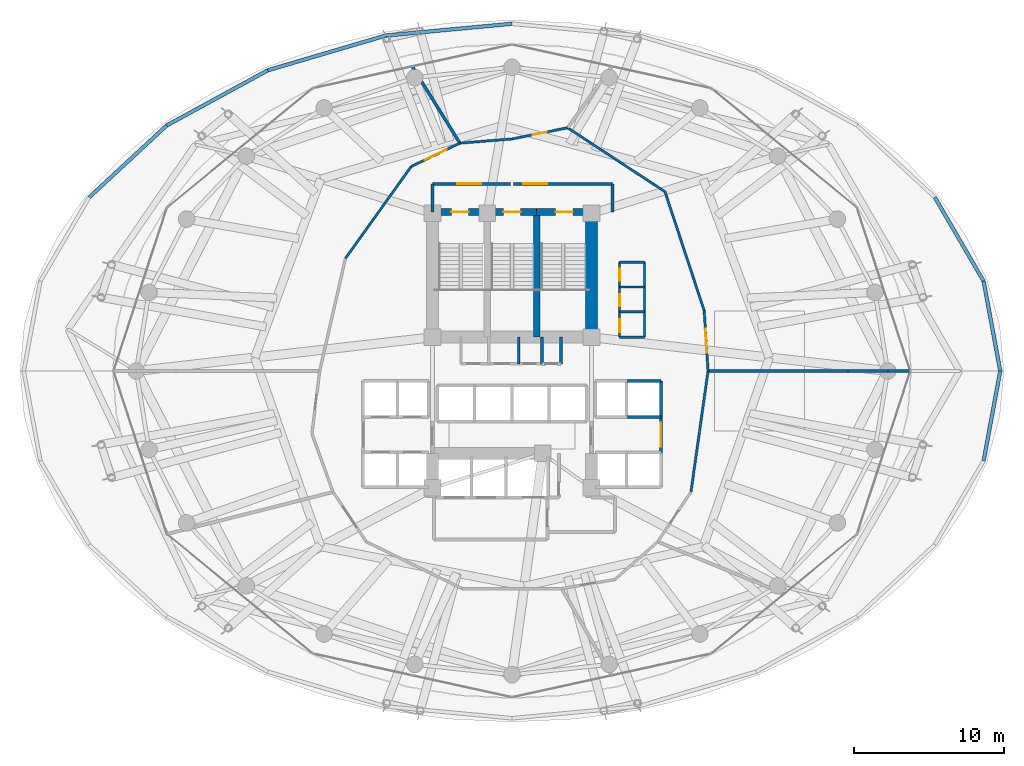
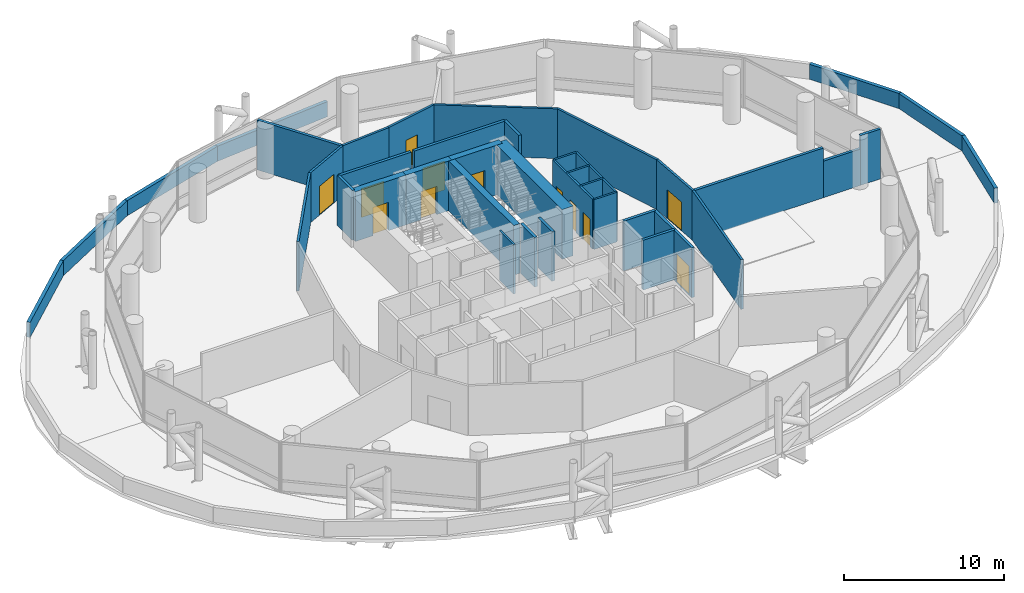
# One storey, part 31 of 37: 41 walls, 12 doors, 12 openings.
"""IFC4 building model written with IfcOpenShell, lengths in metres."""

from ifc_helpers import new_model, si_unit, direction, frame, frame_2d, origin, place, context, subcontext, project, spatial, rectangle, extrude, material, layer, layer_set, type_object, element, fill, save


model = new_model("IFC4")

# Units and contexts
model_context = context("Model", 3, precision=1e-05, world=origin(), true_north=direction((0.0, 1.0)))
body_context = subcontext(model_context, "Body", "Model", "MODEL_VIEW")
ifc_project = project(units=[si_unit("LENGTHUNIT", "METRE"), si_unit("AREAUNIT", "SQUARE_METRE"), si_unit("VOLUMEUNIT", "CUBIC_METRE"), si_unit("PLANEANGLEUNIT", "RADIAN"), si_unit("MASSUNIT", "GRAM", prefix="KILO")], contexts=[model_context])

# Site, building, storey
site_placement = place(None, origin())
site = spatial("IfcSite", under=ifc_project, at=site_placement, CompositionType="ELEMENT")
building_placement = place(site_placement, origin())
building = spatial("IfcBuilding", under=site, at=building_placement, Name="Nuhasar Tower", CompositionType="ELEMENT")
storey_placement = place(building_placement, frame((0.0, 0.0, 21.0)))
storey = spatial("IfcBuildingStorey", under=building, at=storey_placement, Name="L04", CompositionType="ELEMENT", Elevation=21.0)

# Wall, opening, door
ifc_material_1 = material(Name="Concrete C50/60", Category="concrete")
ifc_layer_1 = layer(ifc_material_1, 0.449951171875)
ifc_layer_set_1 = layer_set([ifc_layer_1], Name="Concrete C50/60")
wall_type_1 = type_object("IfcWallType", Name="WL-CORE-450", PredefinedType="SHEAR", material=ifc_layer_set_1)
wall_1_placement = place(storey_placement, frame((37.35009765625, 37.39990234375, 0.0), z_axis=(0.0, 0.0, 1.0), x_axis=(-1.0, 0.0, 0.0)))
wall_1 = element("IfcWall", 1, at=wall_1_placement, inside=storey, type_object=wall_type_1, Name="L04 Stairwell Shear Wall ST01-N", PredefinedType="SHEAR", context=body_context, shape_type="SweptSolid", body=[
    extrude(rectangle(XDim=3.650146484375, YDim=0.449951171875, at=frame_2d((1.8251953125, 0.0))), origin(), (0.0, 0.0, 1.0), 3.7900390625),
])
opening_1_placement = place(wall_1_placement, frame((1.25, 0.0, 0.0)))
opening_1 = element("IfcOpeningElement", 2, at=opening_1_placement, cuts=wall_1, Name="Opening DS-01", PredefinedType="OPENING", context=body_context, shape_type="SweptSolid", body=[
    extrude(rectangle(XDim=1.14990234375, YDim=2.14990234375, at=frame_2d((0.574951171875, 1.074951171875))), frame((0.0, 0.23486328125, 0.0), z_axis=(0.0, -1.0, 0.0), x_axis=(1.0, 0.0, 0.0)), (0.0, 0.0, 1.0), 0.469970703125),
])
ifc_material_2 = material(Name="Steel S355", Category="steel")
door_type_1 = type_object("IfcDoorType", Name="DR-STAIR-FD120-1150", OperationType="NOTDEFINED", PredefinedType="DOOR", material=ifc_material_2)
door_1_placement = place(opening_1_placement, origin())
door_1 = element("IfcDoor", 3, at=door_1_placement, inside=storey, type_object=door_type_1, Name="L04 Exit Stair ST-01 Door", OperationType="SINGLE_SWING_RIGHT", OverallHeight=2.14990234375, OverallWidth=1.14990234375, PredefinedType="DOOR", context=body_context, shape_type="SweptSolid", body=[
    extrude(rectangle(XDim=1.14990234375, YDim=2.14990234375, at=frame_2d((0.574951171875, 1.074951171875))), frame((0.0, 0.02490234375, 0.0), z_axis=(0.0, -1.0, 0.0), x_axis=(1.0, 0.0, 0.0)), (0.0, 0.0, 1.0), 0.050048828125),
])
fill(opening_1, door_1)

wall_2_placement = place(storey_placement, frame((40.64990234375, 37.39990234375, 0.0), z_axis=(0.0, 0.0, 1.0), x_axis=(-1.0, 0.0, 0.0)))
wall_2 = element("IfcWall", 4, at=wall_2_placement, inside=storey, type_object=wall_type_1, Name="L04 Stairwell Shear Wall ST03-N", PredefinedType="SHEAR", context=body_context, shape_type="SweptSolid", body=[
    extrude(rectangle(XDim=3.2998046875, YDim=0.449951171875, at=frame_2d((1.64990234375, 0.0))), origin(), (0.0, 0.0, 1.0), 3.7900390625),
])
opening_2_placement = place(wall_2_placement, frame((1.074951171875, 0.0, 0.0)))
opening_2 = element("IfcOpeningElement", 5, at=opening_2_placement, cuts=wall_2, Name="Opening DS-01", PredefinedType="OPENING", context=body_context, shape_type="SweptSolid", body=[
    extrude(rectangle(XDim=1.14990234375, YDim=2.14990234375, at=frame_2d((0.574951171875, 1.074951171875))), frame((0.0, 0.23486328125, 0.0), z_axis=(0.0, -1.0, 0.0), x_axis=(1.0, 0.0, 0.0)), (0.0, 0.0, 1.0), 0.469970703125),
])
door_2_placement = place(opening_2_placement, origin())
door_2 = element("IfcDoor", 6, at=door_2_placement, inside=storey, type_object=door_type_1, Name="L04 Exit Stair ST-03 Door", OperationType="SINGLE_SWING_RIGHT", OverallHeight=2.14990234375, OverallWidth=1.14990234375, PredefinedType="DOOR", context=body_context, shape_type="SweptSolid", body=[
    extrude(rectangle(XDim=1.14990234375, YDim=2.14990234375, at=frame_2d((0.574951171875, 1.074951171875))), frame((0.0, 0.02490234375, 0.0), z_axis=(0.0, -1.0, 0.0), x_axis=(1.0, 0.0, 0.0)), (0.0, 0.0, 1.0), 0.050048828125),
])
fill(opening_2, door_2)

# Wall
wall_3_placement = place(storey_placement, frame((40.64990234375, 29.050048828125, 0.0), z_axis=(0.0, 0.0, 1.0), x_axis=(0.0, 1.0, 0.0)))
element("IfcWall", 7, at=wall_3_placement, inside=storey, type_object=wall_type_1, Name="L04 Stairwell Shear Wall ST03-E", PredefinedType="SHEAR", context=body_context, shape_type="SweptSolid", body=[
    extrude(rectangle(XDim=8.349853515625, YDim=0.449951171875, at=frame_2d((4.1748046875, 0.0))), origin(), (0.0, 0.0, 1.0), 3.7900390625),
])

# Wall, opening, door
wall_4_placement = place(storey_placement, frame((44.300048828125, 37.39990234375, 0.0), z_axis=(0.0, 0.0, 1.0), x_axis=(-1.0, 0.0, 0.0)))
wall_4 = element("IfcWall", 8, at=wall_4_placement, inside=storey, type_object=wall_type_1, Name="L04 Stairwell Shear Wall ST02-N", PredefinedType="SHEAR", context=body_context, shape_type="SweptSolid", body=[
    extrude(rectangle(XDim=3.650146484375, YDim=0.449951171875, at=frame_2d((1.8251953125, 0.0))), origin(), (0.0, 0.0, 1.0), 3.7900390625),
])
opening_3_placement = place(wall_4_placement, frame((1.25, 0.0, 0.0)))
opening_3 = element("IfcOpeningElement", 9, at=opening_3_placement, cuts=wall_4, Name="Opening DS-01", PredefinedType="OPENING", context=body_context, shape_type="SweptSolid", body=[
    extrude(rectangle(XDim=1.14990234375, YDim=2.14990234375, at=frame_2d((0.574951171875, 1.074951171875))), frame((0.0, 0.23486328125, 0.0), z_axis=(0.0, -1.0, 0.0), x_axis=(1.0, 0.0, 0.0)), (0.0, 0.0, 1.0), 0.469970703125),
])
door_3_placement = place(opening_3_placement, origin())
door_3 = element("IfcDoor", 10, at=door_3_placement, inside=storey, type_object=door_type_1, Name="L04 Exit Stair ST-02 Door", OperationType="SINGLE_SWING_LEFT", OverallHeight=2.14990234375, OverallWidth=1.14990234375, PredefinedType="DOOR", context=body_context, shape_type="SweptSolid", body=[
    extrude(rectangle(XDim=1.14990234375, YDim=2.14990234375, at=frame_2d((0.574951171875, 1.074951171875))), frame((0.0, 0.02490234375, 0.0), z_axis=(0.0, -1.0, 0.0), x_axis=(1.0, 0.0, 0.0)), (0.0, 0.0, 1.0), 0.050048828125),
])
fill(opening_3, door_3)

# Wall
ifc_material_3 = material(Name="Concrete C80/95", Category="concrete")
ifc_layer_2 = layer(ifc_material_3, 0.800048828125)
ifc_layer_set_2 = layer_set([ifc_layer_2], Name="Concrete C80/95")
wall_type_2 = type_object("IfcWallType", Name="WL-CORE-800", PredefinedType="SHEAR", material=ifc_layer_set_2)
wall_5_placement = place(storey_placement, frame((44.300048828125, 29.050048828125, 0.0), z_axis=(0.0, 0.0, 1.0), x_axis=(0.0, 1.0, 0.0)))
element("IfcWall", 11, at=wall_5_placement, inside=storey, type_object=wall_type_2, Name="L04 Core Shear Wall CW-NE CW-800", PredefinedType="SHEAR", context=body_context, shape_type="SweptSolid", body=[
    extrude(rectangle(XDim=8.349853515625, YDim=0.800048828125, at=frame_2d((4.1748046875, 0.0))), origin(), (0.0, 0.0, 1.0), 3.7900390625),
])

# Wall, opening, door
ifc_material_4 = material(Name="Gypsum Board", Category="gypsum")
ifc_layer_3 = layer(ifc_material_4, 0.159912109375)
ifc_layer_set_3 = layer_set([ifc_layer_3], Name="Gypsum Board")
wall_type_3 = type_object("IfcWallType", Name="WL-CORR-160", PredefinedType="PARTITIONING", material=ifc_layer_set_3)
wall_6_placement = place(storey_placement, frame((51.81201171875, 30.822021484375, 0.0), z_axis=(0.0, 0.0, 1.0), x_axis=(0.064030047677, -0.997947971086, 0.0)))
wall_6 = element("IfcWall", 12, at=wall_6_placement, inside=storey, type_object=wall_type_3, Name="L04 Interior Partition CORR-00", PredefinedType="PARTITIONING", context=body_context, shape_type="SweptSolid", body=[
    extrude(rectangle(XDim=4.0302734375, YDim=0.159912109375, at=frame_2d((2.01513671875, 0.0))), origin(), (0.0, 0.0, 1.0), 3.7900390625),
])
opening_4_placement = place(wall_6_placement, frame((1.215087890625, 0.0, 0.0)))
opening_4 = element("IfcOpeningElement", 13, at=opening_4_placement, cuts=wall_6, Name="Opening DC-01", PredefinedType="OPENING", context=body_context, shape_type="SweptSolid", body=[
    extrude(rectangle(XDim=1.60009765625, YDim=2.199951171875, at=frame_2d((0.800048828125, 1.10009765625))), frame((0.0, 0.08984375, 0.0), z_axis=(0.0, -1.0, 0.0), x_axis=(1.0, 0.0, 0.0)), (0.0, 0.0, 1.0), 0.179931640625),
])
door_type_2 = type_object("IfcDoorType", Name="DR-CORR-FD60-1600", OperationType="DOUBLE_DOOR_SINGLE_SWING", PredefinedType="DOOR", material=ifc_material_2)
door_4_placement = place(opening_4_placement, origin())
door_4 = element("IfcDoor", 14, at=door_4_placement, inside=storey, type_object=door_type_2, Name="L04 Open-Plan Office North-East Entry Door", OperationType="DOUBLE_DOOR_SINGLE_SWING", OverallHeight=2.199951171875, OverallWidth=1.60009765625, PredefinedType="DOOR", context=body_context, shape_type="SweptSolid", body=[
    extrude(rectangle(XDim=1.60009765625, YDim=2.199951171875, at=frame_2d((0.800048828125, 1.10009765625))), frame((0.0, 0.02490234375, 0.0), z_axis=(0.0, -1.0, 0.0), x_axis=(1.0, 0.0, 0.0)), (0.0, 0.0, 1.0), 0.050048828125),
])
fill(opening_4, door_4)

# Walls
wall_7_placement = place(storey_placement, frame((51.81201171875, 30.822021484375, 0.0), z_axis=(0.0, 0.0, 1.0), x_axis=(-0.312751602659, 0.94983495147, 0.0)))
element("IfcWall", 15, at=wall_7_placement, inside=storey, type_object=wall_type_3, Name="L04 Interior Partition CORR-02", PredefinedType="PARTITIONING", context=body_context, shape_type="SweptSolid", body=[
    extrude(rectangle(XDim=8.3486328125, YDim=0.159912109375, at=frame_2d((4.17431640625, 0.0))), origin(), (0.0, 0.0, 1.0), 3.7900390625),
])
wall_8_placement = place(storey_placement, frame((49.200927734375, 38.751953125, 0.0), z_axis=(0.0, 0.0, 1.0), x_axis=(-0.835989779889, 0.548745011751, 0.0)))
element("IfcWall", 16, at=wall_8_placement, inside=storey, type_object=wall_type_3, Name="L04 Interior Partition CORR-06", PredefinedType="PARTITIONING", context=body_context, shape_type="SweptSolid", body=[
    extrude(rectangle(XDim=7.766845703125, YDim=0.159912109375, at=frame_2d((3.88330078125, 0.0))), origin(), (0.0, 0.0, 1.0), 3.7900390625),
])

# Wall, opening, door
wall_9_placement = place(storey_placement, frame((39.0, 42.27001953125, 0.0), z_axis=(0.0, 0.0, 1.0), x_axis=(0.980463806225, 0.196699579771, 0.0)))
wall_9 = element("IfcWall", 17, at=wall_9_placement, inside=storey, type_object=wall_type_3, Name="L04 Interior Partition CORR-10", PredefinedType="PARTITIONING", context=body_context, shape_type="SweptSolid", body=[
    extrude(rectangle(XDim=3.781982421875, YDim=0.159912109375, at=frame_2d((1.89111328125, 0.0))), origin(), (0.0, 0.0, 1.0), 3.7900390625),
])
opening_5_placement = place(wall_9_placement, frame((1.416015625, 0.0, 0.0)))
opening_5 = element("IfcOpeningElement", 18, at=opening_5_placement, cuts=wall_9, Name="Opening DO-01", PredefinedType="OPENING", context=body_context, shape_type="SweptSolid", body=[
    extrude(rectangle(XDim=0.949951171875, YDim=2.14990234375, at=frame_2d((0.47509765625, 1.074951171875))), frame((0.0, 0.08984375, 0.0), z_axis=(0.0, -1.0, 0.0), x_axis=(1.0, 0.0, 0.0)), (0.0, 0.0, 1.0), 0.179931640625),
])
ifc_material_5 = material(Name="Timber Oak", Category="wood")
door_type_3 = type_object("IfcDoorType", Name="DR-OFFICE-FD30-950", OperationType="NOTDEFINED", PredefinedType="DOOR", material=ifc_material_5)
door_5_placement = place(opening_5_placement, origin())
door_5 = element("IfcDoor", 19, at=door_5_placement, inside=storey, type_object=door_type_3, Name="L04 Executive Boardroom Entry Door", OperationType="SINGLE_SWING_RIGHT", OverallHeight=2.14990234375, OverallWidth=0.949951171875, PredefinedType="DOOR", context=body_context, shape_type="SweptSolid", body=[
    extrude(rectangle(XDim=0.949951171875, YDim=2.14990234375, at=frame_2d((0.47509765625, 1.074951171875))), frame((0.0, 0.02490234375, 0.0), z_axis=(0.0, -1.0, 0.0), x_axis=(1.0, 0.0, 0.0)), (0.0, 0.0, 1.0), 0.050048828125),
])
fill(opening_5, door_5)

# Wall
wall_10_placement = place(storey_placement, frame((39.0, 42.27001953125, 0.0), z_axis=(0.0, 0.0, 1.0), x_axis=(-0.99676721303, -0.080343780277, 0.0)))
element("IfcWall", 20, at=wall_10_placement, inside=storey, type_object=wall_type_3, Name="L04 Interior Partition CORR-12", PredefinedType="PARTITIONING", context=body_context, shape_type="SweptSolid", body=[
    extrude(rectangle(XDim=3.4853515625, YDim=0.159912109375, at=frame_2d((1.74267578125, 0.0))), origin(), (0.0, 0.0, 1.0), 3.7900390625),
])

# Wall, opening, door
wall_11_placement = place(storey_placement, frame((32.281005859375, 40.43603515625, 0.0), z_axis=(0.0, 0.0, 1.0), x_axis=(0.901911315708, 0.43192126435, 0.0)))
wall_11 = element("IfcWall", 21, at=wall_11_placement, inside=storey, type_object=wall_type_3, Name="L04 Interior Partition CORR-14", PredefinedType="PARTITIONING", context=body_context, shape_type="SweptSolid", body=[
    extrude(rectangle(XDim=3.59765625, YDim=0.159912109375, at=frame_2d((1.798828125, 0.0))), origin(), (0.0, 0.0, 1.0), 3.7900390625),
])
opening_6_placement = place(wall_11_placement, frame((0.9990234375, 0.0, 0.0)))
opening_6 = element("IfcOpeningElement", 22, at=opening_6_placement, cuts=wall_11, Name="Opening DC-01", PredefinedType="OPENING", context=body_context, shape_type="SweptSolid", body=[
    extrude(rectangle(XDim=1.60009765625, YDim=2.199951171875, at=frame_2d((0.800048828125, 1.10009765625))), frame((0.0, 0.08984375, 0.0), z_axis=(0.0, -1.0, 0.0), x_axis=(1.0, 0.0, 0.0)), (0.0, 0.0, 1.0), 0.179931640625),
])
door_6_placement = place(opening_6_placement, origin())
door_6 = element("IfcDoor", 23, at=door_6_placement, inside=storey, type_object=door_type_2, Name="L04 Open-Plan Office North-West Entry Door", OperationType="DOUBLE_DOOR_SINGLE_SWING", OverallHeight=2.199951171875, OverallWidth=1.60009765625, PredefinedType="DOOR", context=body_context, shape_type="SweptSolid", body=[
    extrude(rectangle(XDim=1.60009765625, YDim=2.199951171875, at=frame_2d((0.800048828125, 1.10009765625))), frame((0.0, 0.02490234375, 0.0), z_axis=(0.0, -1.0, 0.0), x_axis=(1.0, 0.0, 0.0)), (0.0, 0.0, 1.0), 0.050048828125),
])
fill(opening_6, door_6)

# Walls
wall_12_placement = place(storey_placement, frame((32.281005859375, 40.43603515625, 0.0), z_axis=(0.0, 0.0, 1.0), x_axis=(-0.581884927471, -0.813271130179, 0.0)))
element("IfcWall", 24, at=wall_12_placement, inside=storey, type_object=wall_type_3, Name="L04 Interior Partition CORR-16", PredefinedType="PARTITIONING", context=body_context, shape_type="SweptSolid", body=[
    extrude(rectangle(XDim=7.532470703125, YDim=0.159912109375, at=frame_2d((3.76611328125, 0.0))), origin(), (0.0, 0.0, 1.0), 3.7900390625),
])
wall_13_placement = place(storey_placement, frame((50.929931640625, 18.72998046875, 0.0), z_axis=(0.0, 0.0, 1.0), x_axis=(0.139890479785, 0.990166982718, 0.0)))
element("IfcWall", 25, at=wall_13_placement, inside=storey, type_object=wall_type_3, Name="L04 Interior Partition CORR-44", PredefinedType="PARTITIONING", context=body_context, shape_type="SweptSolid", body=[
    extrude(rectangle(XDim=8.150146484375, YDim=0.159912109375, at=frame_2d((4.0751953125, 0.0))), origin(), (0.0, 0.0, 1.0), 3.7900390625),
])
ifc_material_6 = material(Name="Concrete C45/55", Category="concrete")
ifc_layer_4 = layer(ifc_material_6, 0.199951171875)
ifc_layer_set_4 = layer_set([ifc_layer_4], Name="Concrete C45/55")
wall_type_4 = type_object("IfcWallType", Name="WL-LOBBY-200", PredefinedType="SOLIDWALL", material=ifc_layer_set_4)
for number, where, z_axis, x_axis, name in (
    (26, (33.699951171875, 37.39990234375, 0.0), (0.0, 0.0, 1.0), (0.0, 1.0, 0.0), "L04 Interior Partition NSL-W"),
    (27, (45.699951171875, 37.39990234375, 0.0), (0.0, 0.0, 1.0), (0.0, 1.0, 0.0), "L04 Interior Partition NSL-E"),
):
    element("IfcWall", number, at=place(storey_placement, frame(where, z_axis=z_axis, x_axis=x_axis)), inside=storey, type_object=wall_type_4, Name=name, PredefinedType="SOLIDWALL", context=body_context, shape_type="SweptSolid", body=[
        extrude(rectangle(XDim=1.880126953125, YDim=0.199951171875, at=frame_2d((0.93994140625, 0.0))), origin(), (0.0, 0.0, 1.0), 3.7900390625),
    ])

# Wall, opening, door
wall_14_placement = place(storey_placement, frame((38.89990234375, 39.280029296875, 0.0), z_axis=(0.0, 0.0, 1.0), x_axis=(-1.0, 0.0, 0.0)))
wall_14 = element("IfcWall", 28, at=wall_14_placement, inside=storey, type_object=wall_type_4, Name="L04 Interior Partition NSL-N1", PredefinedType="SOLIDWALL", context=body_context, shape_type="SweptSolid", body=[
    extrude(rectangle(XDim=5.199951171875, YDim=0.199951171875, at=frame_2d((2.60009765625, 0.0))), origin(), (0.0, 0.0, 1.0), 3.7900390625),
])
opening_7_placement = place(wall_14_placement, frame((1.949951171875, 0.0, 0.0)))
opening_7 = element("IfcOpeningElement", 29, at=opening_7_placement, cuts=wall_14, Name="Opening DC-01", PredefinedType="OPENING", context=body_context, shape_type="SweptSolid", body=[
    extrude(rectangle(XDim=1.60009765625, YDim=2.199951171875, at=frame_2d((0.800048828125, 1.10009765625))), frame((0.0, 0.10986328125, 0.0), z_axis=(0.0, -1.0, 0.0), x_axis=(1.0, 0.0, 0.0)), (0.0, 0.0, 1.0), 0.219970703125),
])
door_7_placement = place(opening_7_placement, origin())
door_7 = element("IfcDoor", 30, at=door_7_placement, inside=storey, type_object=door_type_2, Name="L04 North Stair Lobby West Door", OperationType="DOUBLE_DOOR_SINGLE_SWING", OverallHeight=2.199951171875, OverallWidth=1.60009765625, PredefinedType="DOOR", context=body_context, shape_type="SweptSolid", body=[
    extrude(rectangle(XDim=1.60009765625, YDim=2.199951171875, at=frame_2d((0.800048828125, 1.10009765625))), frame((0.0, 0.02490234375, 0.0), z_axis=(0.0, -1.0, 0.0), x_axis=(1.0, 0.0, 0.0)), (0.0, 0.0, 1.0), 0.050048828125),
])
fill(opening_7, door_7)

wall_15_placement = place(storey_placement, frame((45.699951171875, 39.280029296875, 0.0), z_axis=(0.0, 0.0, 1.0), x_axis=(-1.0, 0.0, 0.0)))
wall_15 = element("IfcWall", 31, at=wall_15_placement, inside=storey, type_object=wall_type_4, Name="L04 Interior Partition NSL-N2", PredefinedType="SOLIDWALL", context=body_context, shape_type="SweptSolid", body=[
    extrude(rectangle(XDim=6.599853515625, YDim=0.199951171875, at=frame_2d((3.2998046875, 0.0))), origin(), (0.0, 0.0, 1.0), 3.7900390625),
])
opening_8_placement = place(wall_15_placement, frame((4.35009765625, 0.0, 0.0)))
opening_8 = element("IfcOpeningElement", 32, at=opening_8_placement, cuts=wall_15, Name="Opening DC-01", PredefinedType="OPENING", context=body_context, shape_type="SweptSolid", body=[
    extrude(rectangle(XDim=1.60009765625, YDim=2.199951171875, at=frame_2d((0.800048828125, 1.10009765625))), frame((0.0, 0.10986328125, 0.0), z_axis=(0.0, -1.0, 0.0), x_axis=(1.0, 0.0, 0.0)), (0.0, 0.0, 1.0), 0.219970703125),
])
door_8_placement = place(opening_8_placement, origin())
door_8 = element("IfcDoor", 33, at=door_8_placement, inside=storey, type_object=door_type_2, Name="L04 North Stair Lobby East Door", OperationType="DOUBLE_DOOR_SINGLE_SWING", OverallHeight=2.199951171875, OverallWidth=1.60009765625, PredefinedType="DOOR", context=body_context, shape_type="SweptSolid", body=[
    extrude(rectangle(XDim=1.60009765625, YDim=2.199951171875, at=frame_2d((0.800048828125, 1.10009765625))), frame((0.0, 0.02490234375, 0.0), z_axis=(0.0, -1.0, 0.0), x_axis=(1.0, 0.0, 0.0)), (0.0, 0.0, 1.0), 0.050048828125),
])
fill(opening_8, door_8)

wall_16_placement = place(storey_placement, frame((48.929931640625, 21.3798828125, 0.0), z_axis=(0.0, 0.0, 1.0), x_axis=(0.0, 1.0, 0.0)))
wall_16 = element("IfcWall", 34, at=wall_16_placement, inside=storey, type_object=wall_type_4, Name="L04 Interior Partition LLBM-E", PredefinedType="SOLIDWALL", context=body_context, shape_type="SweptSolid", body=[
    extrude(rectangle(XDim=2.340087890625, YDim=0.199951171875, at=frame_2d((1.169921875, 0.0))), origin(), (0.0, 0.0, 1.0), 3.7900390625),
])
opening_9_placement = place(wall_16_placement, frame((0.3701171875, 0.0, 0.0)))
opening_9 = element("IfcOpeningElement", 35, at=opening_9_placement, cuts=wall_16, Name="Opening DC-01", PredefinedType="OPENING", context=body_context, shape_type="SweptSolid", body=[
    extrude(rectangle(XDim=1.60009765625, YDim=2.199951171875, at=frame_2d((0.800048828125, 1.10009765625))), frame((0.0, 0.10986328125, 0.0), z_axis=(0.0, -1.0, 0.0), x_axis=(1.0, 0.0, 0.0)), (0.0, 0.0, 1.0), 0.219970703125),
])
door_9_placement = place(opening_9_placement, origin())
door_9 = element("IfcDoor", 36, at=door_9_placement, inside=storey, type_object=door_type_2, Name="L04 Mid-Rise Lift Lobby East Entry", OperationType="DOUBLE_DOOR_SINGLE_SWING", OverallHeight=2.199951171875, OverallWidth=1.60009765625, PredefinedType="DOOR", context=body_context, shape_type="SweptSolid", body=[
    extrude(rectangle(XDim=1.60009765625, YDim=2.199951171875, at=frame_2d((0.800048828125, 1.10009765625))), frame((0.0, 0.02490234375, 0.0), z_axis=(0.0, -1.0, 0.0), x_axis=(1.0, 0.0, 0.0)), (0.0, 0.0, 1.0), 0.050048828125),
])
fill(opening_9, door_9)

# Walls
ifc_layer_5 = layer(ifc_material_6, 0.239990234375)
ifc_layer_set_5 = layer_set([ifc_layer_5], Name="Concrete C45/55")
wall_type_5 = type_object("IfcWallType", Name="WL-PARAPET-240", PredefinedType="PARAPET", material=ifc_layer_set_5)
wall_17_placement = place(storey_placement, frame((71.550048828125, 26.800048828125, 0.0), z_axis=(0.0, 0.0, 1.0), x_axis=(-0.18201178794, 0.983296348539, 0.0)))
element("IfcWall", 37, at=wall_17_placement, inside=storey, type_object=wall_type_5, Name="L04 Podium Roof Parapet 01", PredefinedType="PARAPET", context=body_context, shape_type="SweptSolid", body=[
    extrude(rectangle(XDim=6.09375, YDim=0.239990234375, at=frame_2d((3.046875, 0.0))), origin(), (0.0, 0.0, 1.0), 1.14990234375),
])
wall_18_placement = place(storey_placement, frame((70.44091796875, 32.7919921875, 0.0), z_axis=(0.0, 0.0, 1.0), x_axis=(-0.503316458363, 0.864102159898, 0.0)))
element("IfcWall", 38, at=wall_18_placement, inside=storey, type_object=wall_type_5, Name="L04 Podium Roof Parapet 02", PredefinedType="PARAPET", context=body_context, shape_type="SweptSolid", body=[
    extrude(rectangle(XDim=6.4609375, YDim=0.239990234375, at=frame_2d((3.23046875, 0.0))), origin(), (0.0, 0.0, 1.0), 1.14990234375),
])
wall_19_placement = place(storey_placement, frame((39.0, 49.949951171875, 0.0), z_axis=(0.0, 0.0, 1.0), x_axis=(-0.995642852172, -0.093248651025, 0.0)))
element("IfcWall", 39, at=wall_19_placement, inside=storey, type_object=wall_type_5, Name="L04 Podium Roof Parapet 07", PredefinedType="PARAPET", context=body_context, shape_type="SweptSolid", body=[
    extrude(rectangle(XDim=8.4619140625, YDim=0.239990234375, at=frame_2d((4.23095703125, 0.0))), origin(), (0.0, 0.0, 1.0), 1.14990234375),
])
wall_20_placement = place(storey_placement, frame((30.574951171875, 49.160888671875, 0.0), z_axis=(0.0, 0.0, 1.0), x_axis=(-0.959226195017, -0.282639535085, 0.0)))
element("IfcWall", 40, at=wall_20_placement, inside=storey, type_object=wall_type_5, Name="L04 Podium Roof Parapet 08", PredefinedType="PARAPET", context=body_context, shape_type="SweptSolid", body=[
    extrude(rectangle(XDim=8.18359375, YDim=0.239990234375, at=frame_2d((4.091796875, 0.0))), origin(), (0.0, 0.0, 1.0), 1.14990234375),
])
wall_21_placement = place(storey_placement, frame((22.72509765625, 46.847900390625, 0.0), z_axis=(0.0, 0.0, 1.0), x_axis=(-0.877843323355, -0.47894790911, 0.0)))
element("IfcWall", 41, at=wall_21_placement, inside=storey, type_object=wall_type_5, Name="L04 Podium Roof Parapet 09", PredefinedType="PARAPET", context=body_context, shape_type="SweptSolid", body=[
    extrude(rectangle(XDim=7.67919921875, YDim=0.239990234375, at=frame_2d((3.839599609375, 0.0))), origin(), (0.0, 0.0, 1.0), 1.14990234375),
])
wall_22_placement = place(storey_placement, frame((15.98388671875, 43.169921875, 0.0), z_axis=(0.0, 0.0, 1.0), x_axis=(-0.733389888961, -0.679808260298, 0.0)))
element("IfcWall", 42, at=wall_22_placement, inside=storey, type_object=wall_type_5, Name="L04 Podium Roof Parapet 10", PredefinedType="PARAPET", context=body_context, shape_type="SweptSolid", body=[
    extrude(rectangle(XDim=7.05322265625, YDim=0.239990234375, at=frame_2d((3.526611328125, 0.0))), origin(), (0.0, 0.0, 1.0), 1.14990234375),
])
wall_23_placement = place(storey_placement, frame((70.44091796875, 20.80810546875, 0.0), z_axis=(0.0, 0.0, 1.0), x_axis=(0.18201178794, 0.983296348539, 0.0)))
element("IfcWall", 43, at=wall_23_placement, inside=storey, type_object=wall_type_5, Name="L04 Podium Roof Parapet 24", PredefinedType="PARAPET", context=body_context, shape_type="SweptSolid", body=[
    extrude(rectangle(XDim=6.09375, YDim=0.239990234375, at=frame_2d((3.046875, 0.0))), origin(), (0.0, 0.0, 1.0), 1.14990234375),
])
ifc_layer_6 = layer(ifc_material_6, 0.199951171875)
ifc_layer_set_6 = layer_set([ifc_layer_6], Name="Concrete C45/55")
wall_type_6 = type_object("IfcWallType", Name="WL-SHAFT-200", PredefinedType="SOLIDWALL", material=ifc_layer_set_6)
for number, where, z_axis, x_axis, name in (
    (44, (41.0, 27.280029296875, 0.0), (0.0, 0.0, 1.0), (0.0, 1.0, 0.0), "L04 Interior Partition RSRN-W"),
    (45, (42.260009765625, 27.280029296875, 0.0), (0.0, 0.0, 1.0), (0.0, 1.0, 0.0), "L04 Interior Partition RSRN-E"),
):
    element("IfcWall", number, at=place(storey_placement, frame(where, z_axis=z_axis, x_axis=x_axis)), inside=storey, type_object=wall_type_6, Name=name, PredefinedType="SOLIDWALL", context=body_context, shape_type="SweptSolid", body=[
        extrude(rectangle(XDim=1.77001953125, YDim=0.199951171875, at=frame_2d((0.885009765625, 0.0))), origin(), (0.0, 0.0, 1.0), 3.7900390625),
    ])
for number, where, z_axis, x_axis, name in (
    (46, (46.6201171875, 23.719970703125, 0.0), (0.0, 0.0, 1.0), (1.0, 0.0, 0.0), "L04 Interior Partition SHF-PL-M02-S"),
    (47, (46.6201171875, 26.1298828125, 0.0), (0.0, 0.0, 1.0), (1.0, 0.0, 0.0), "L04 Interior Partition SHF-PL-M02-N"),
):
    element("IfcWall", number, at=place(storey_placement, frame(where, z_axis=z_axis, x_axis=x_axis)), inside=storey, type_object=wall_type_6, Name=name, PredefinedType="SOLIDWALL", context=body_context, shape_type="SweptSolid", body=[
        extrude(rectangle(XDim=2.309814453125, YDim=0.199951171875, at=frame_2d((1.15478515625, 0.0))), origin(), (0.0, 0.0, 1.0), 3.7900390625),
    ])
wall_24_placement = place(storey_placement, frame((48.929931640625, 23.719970703125, 0.0), z_axis=(0.0, 0.0, 1.0), x_axis=(0.0, 1.0, 0.0)))
element("IfcWall", 48, at=wall_24_placement, inside=storey, type_object=wall_type_6, Name="L04 Interior Partition SHF-PL-M02-E", PredefinedType="SOLIDWALL", context=body_context, shape_type="SweptSolid", body=[
    extrude(rectangle(XDim=2.409912109375, YDim=0.199951171875, at=frame_2d((1.205078125, 0.0))), origin(), (0.0, 0.0, 1.0), 3.7900390625),
])
ifc_material_7 = material(Name="Concrete C40/50 precast", Category="concrete")
ifc_layer_7 = layer(ifc_material_7, 0.199951171875)
ifc_layer_set_7 = layer_set([ifc_layer_7], Name="Concrete C40/50 precast")
wall_type_7 = type_object("IfcWallType", Name="WL-UNIT-200", PredefinedType="PARTITIONING", material=ifc_layer_set_7)
wall_25_placement = place(storey_placement, frame((52.070068359375, 26.800048828125, 0.0), z_axis=(0.0, 0.0, 1.0), x_axis=(1.0, 0.0, 0.0)))
element("IfcWall", 49, at=wall_25_placement, inside=storey, type_object=wall_type_7, Name="L04 Interior Partition ORAD-00", PredefinedType="PARTITIONING", context=body_context, shape_type="SweptSolid", body=[
    extrude(rectangle(XDim=9.330810546875, YDim=0.199951171875, at=frame_2d((4.66552734375, 0.0))), origin(), (0.0, 0.0, 1.0), 3.7900390625),
])
wall_26_placement = place(storey_placement, frame((61.40087890625, 26.800048828125, 0.0), z_axis=(0.0, 0.0, 1.0), x_axis=(1.0, 0.0, 0.0)))
element("IfcWall", 50, at=wall_26_placement, inside=storey, type_object=wall_type_7, Name="L04 Interior Partition ORAD-00", PredefinedType="PARTITIONING", context=body_context, shape_type="SweptSolid", body=[
    extrude(rectangle(XDim=2.66015625, YDim=0.199951171875, at=frame_2d((1.330078125, 0.0))), origin(), (0.0, 0.0, 1.0), 2.780029296875),
])
wall_27_placement = place(storey_placement, frame((64.06103515625, 26.800048828125, 0.0), z_axis=(0.0, 0.0, 1.0), x_axis=(1.0, 0.0, 0.0)))
element("IfcWall", 51, at=wall_27_placement, inside=storey, type_object=wall_type_7, Name="L04 Interior Partition ORAD-00", PredefinedType="PARTITIONING", context=body_context, shape_type="SweptSolid", body=[
    extrude(rectangle(XDim=1.4638671875, YDim=0.199951171875, at=frame_2d((0.73193359375, 0.0))), origin(), (0.0, 0.0, 1.0), 3.7900390625),
])
wall_28_placement = place(storey_placement, frame((35.52587890625, 41.989990234375, 0.0), z_axis=(0.0, 0.0, 1.0), x_axis=(-0.527898308029, 0.849307586438, 0.0)))
element("IfcWall", 52, at=wall_28_placement, inside=storey, type_object=wall_type_7, Name="L04 Interior Partition ORAD-14", PredefinedType="PARTITIONING", context=body_context, shape_type="SweptSolid", body=[
    extrude(rectangle(XDim=5.980224609375, YDim=0.199951171875, at=frame_2d((2.990234375, 0.0))), origin(), (0.0, 0.0, 1.0), 3.7900390625),
])
ifc_layer_8 = layer(ifc_material_7, 0.139892578125)
ifc_layer_set_8 = layer_set([ifc_layer_8], Name="Concrete C40/50 precast")
wall_type_8 = type_object("IfcWallType", Name="WL-WET-140", PredefinedType="PARTITIONING", material=ifc_layer_set_8)
wall_29_placement = place(storey_placement, frame((39.449951171875, 27.280029296875, 0.0), z_axis=(0.0, 0.0, 1.0), x_axis=(0.0, 1.0, 0.0)))
element("IfcWall", 53, at=wall_29_placement, inside=storey, type_object=wall_type_8, Name="L04 Interior Partition K1-P2", PredefinedType="PARTITIONING", context=body_context, shape_type="SweptSolid", body=[
    extrude(rectangle(XDim=1.77001953125, YDim=0.139892578125, at=frame_2d((0.885009765625, 0.0))), origin(), (0.0, 0.0, 1.0), 3.7900390625),
])

# Wall, openings, doors
wall_30_placement = place(storey_placement, frame((46.179931640625, 34.050048828125, 0.0), z_axis=(0.0, 0.0, 1.0), x_axis=(0.0, -1.0, 0.0)))
wall_30 = element("IfcWall", 54, at=wall_30_placement, inside=storey, type_object=wall_type_8, Name="L04 Interior Partition K1-NE-W", PredefinedType="PARTITIONING", context=body_context, shape_type="SweptSolid", body=[
    extrude(rectangle(XDim=5.0, YDim=0.139892578125, at=frame_2d((2.5, 0.0))), origin(), (0.0, 0.0, 1.0), 3.7900390625),
])
opening_10_placement = place(wall_30_placement, frame((3.800048828125, 0.0, 0.0)))
opening_10 = element("IfcOpeningElement", 55, at=opening_10_placement, cuts=wall_30, Name="Opening DB-01", PredefinedType="OPENING", context=body_context, shape_type="SweptSolid", body=[
    extrude(rectangle(XDim=0.85009765625, YDim=2.10009765625, at=frame_2d((0.425048828125, 1.050048828125))), frame((0.0, 0.080078125, 0.0), z_axis=(0.0, -1.0, 0.0), x_axis=(1.0, 0.0, 0.0)), (0.0, 0.0, 1.0), 0.159912109375),
])
opening_11_placement = place(wall_30_placement, frame((2.14990234375, 0.0, 0.0)))
opening_11 = element("IfcOpeningElement", 56, at=opening_11_placement, cuts=wall_30, Name="Opening DM-01", PredefinedType="OPENING", context=body_context, shape_type="SweptSolid", body=[
    extrude(rectangle(XDim=0.800048828125, YDim=2.050048828125, at=frame_2d((0.39990234375, 1.02490234375))), frame((0.0, 0.080078125, 0.0), z_axis=(0.0, -1.0, 0.0), x_axis=(1.0, 0.0, 0.0)), (0.0, 0.0, 1.0), 0.159912109375),
])
opening_12_placement = place(wall_30_placement, frame((0.449951171875, 0.0, 0.0)))
opening_12 = element("IfcOpeningElement", 57, at=opening_12_placement, cuts=wall_30, Name="Opening DM-01", PredefinedType="OPENING", context=body_context, shape_type="SweptSolid", body=[
    extrude(rectangle(XDim=0.800048828125, YDim=2.050048828125, at=frame_2d((0.39990234375, 1.02490234375))), frame((0.0, 0.080078125, 0.0), z_axis=(0.0, -1.0, 0.0), x_axis=(1.0, 0.0, 0.0)), (0.0, 0.0, 1.0), 0.159912109375),
])
door_type_4 = type_object("IfcDoorType", Name="DR-BATH-850", OperationType="NOTDEFINED", PredefinedType="DOOR", material=ifc_material_5)
door_10_placement = place(opening_10_placement, origin())
door_10 = element("IfcDoor", 58, at=door_10_placement, inside=storey, type_object=door_type_4, Name="L04 NE Female WC Door", OperationType="SINGLE_SWING_RIGHT", OverallHeight=2.10009765625, OverallWidth=0.85009765625, PredefinedType="DOOR", context=body_context, shape_type="SweptSolid", body=[
    extrude(rectangle(XDim=0.85009765625, YDim=2.10009765625, at=frame_2d((0.425048828125, 1.050048828125))), frame((0.0, 0.02490234375, 0.0), z_axis=(0.0, -1.0, 0.0), x_axis=(1.0, 0.0, 0.0)), (0.0, 0.0, 1.0), 0.050048828125),
])
fill(opening_10, door_10)
door_type_5 = type_object("IfcDoorType", Name="DR-RISER-FD60-800", OperationType="NOTDEFINED", PredefinedType="DOOR", material=ifc_material_2)
door_11_placement = place(opening_11_placement, origin())
door_11 = element("IfcDoor", 59, at=door_11_placement, inside=storey, type_object=door_type_5, Name="L04 NE Meter Door", OperationType="SINGLE_SWING_RIGHT", OverallHeight=2.050048828125, OverallWidth=0.800048828125, PredefinedType="DOOR", context=body_context, shape_type="SweptSolid", body=[
    extrude(rectangle(XDim=0.800048828125, YDim=2.050048828125, at=frame_2d((0.39990234375, 1.02490234375))), frame((0.0, 0.02490234375, 0.0), z_axis=(0.0, -1.0, 0.0), x_axis=(1.0, 0.0, 0.0)), (0.0, 0.0, 1.0), 0.050048828125),
])
fill(opening_11, door_11)
door_12_placement = place(opening_12_placement, origin())
door_12 = element("IfcDoor", 60, at=door_12_placement, inside=storey, type_object=door_type_5, Name="L04 NE Telecom Door", OperationType="SINGLE_SWING_LEFT", OverallHeight=2.050048828125, OverallWidth=0.800048828125, PredefinedType="DOOR", context=body_context, shape_type="SweptSolid", body=[
    extrude(rectangle(XDim=0.800048828125, YDim=2.050048828125, at=frame_2d((0.39990234375, 1.02490234375))), frame((0.0, 0.02490234375, 0.0), z_axis=(0.0, -1.0, 0.0), x_axis=(1.0, 0.0, 0.0)), (0.0, 0.0, 1.0), 0.050048828125),
])
fill(opening_12, door_12)

# Walls
for number, where, z_axis, x_axis, name in (
    (61, (46.179931640625, 29.050048828125, 0.0), (0.0, 0.0, 1.0), (1.0, 0.0, 0.0), "L04 Interior Partition K1-NE-S"),
    (62, (46.179931640625, 30.75, 0.0), (0.0, 0.0, 1.0), (1.0, 0.0, 0.0), "L04 Interior Partition K1-NE-M1"),
    (63, (46.179931640625, 32.39990234375, 0.0), (0.0, 0.0, 1.0), (1.0, 0.0, 0.0), "L04 Interior Partition K1-NE-M2"),
    (64, (46.179931640625, 34.050048828125, 0.0), (0.0, 0.0, 1.0), (1.0, 0.0, 0.0), "L04 Interior Partition K1-NE-N"),
):
    element("IfcWall", number, at=place(storey_placement, frame(where, z_axis=z_axis, x_axis=x_axis)), inside=storey, type_object=wall_type_8, Name=name, PredefinedType="PARTITIONING", context=body_context, shape_type="SweptSolid", body=[
        extrude(rectangle(XDim=1.64013671875, YDim=0.139892578125, at=frame_2d((0.820068359375, 0.0))), origin(), (0.0, 0.0, 1.0), 3.7900390625),
    ])
wall_31_placement = place(storey_placement, frame((47.820068359375, 29.050048828125, 0.0), z_axis=(0.0, 0.0, 1.0), x_axis=(0.0, 1.0, 0.0)))
element("IfcWall", 65, at=wall_31_placement, inside=storey, type_object=wall_type_8, Name="L04 Interior Partition K1-NE-E", PredefinedType="PARTITIONING", context=body_context, shape_type="SweptSolid", body=[
    extrude(rectangle(XDim=5.0, YDim=0.139892578125, at=frame_2d((2.5, 0.0))), origin(), (0.0, 0.0, 1.0), 3.7900390625),
])

save(model, "model.ifc")
